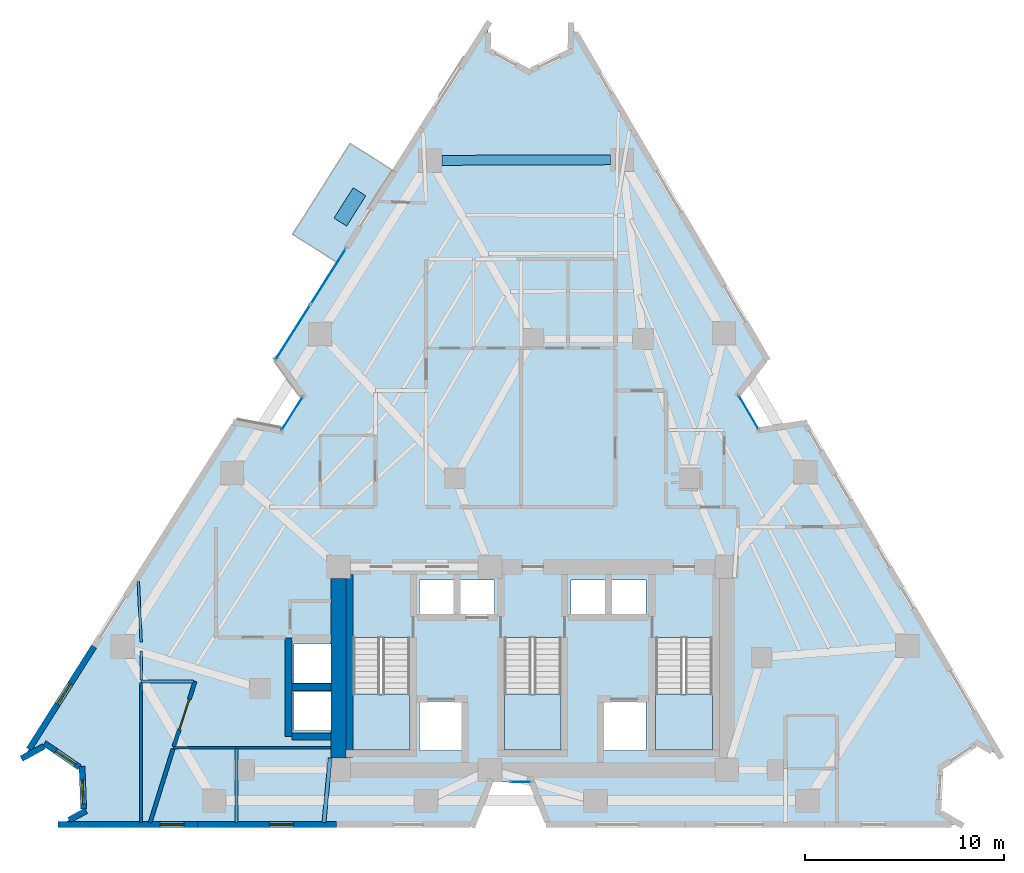
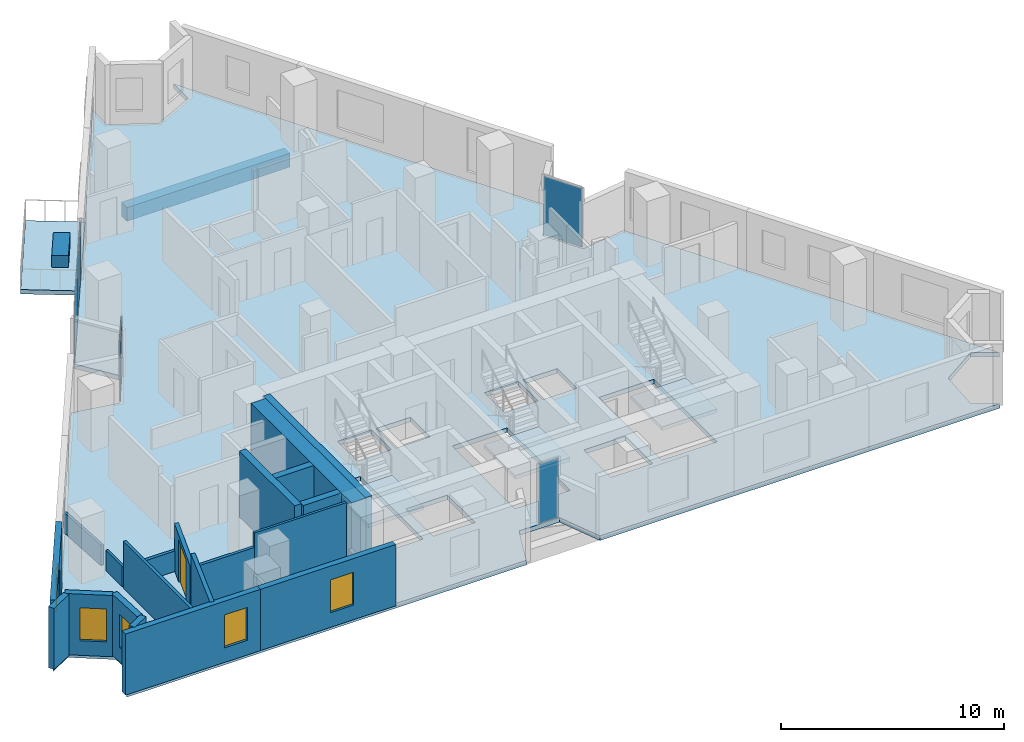
# One storey, part 5 of 11: 22 walls, 6 plates, 5 slabs, 5 windows, 1 beam, 1 door, 6 openings, 7 elements without a shape of their own.
"""IFC4 building model written with IfcOpenShell, lengths in metres."""

from ifc_helpers import new_model, si_unit, direction, frame, frame_2d, origin, origin_2d, place, context, subcontext, project, spatial, polyline, rectangle, outline, extrude, material, layer, layer_set, material_profile, profile_set, type_object, element, fill, aggregate, save


model = new_model("IFC4")

# Units and contexts
model_context = context("Model", 3, precision=1e-05, world=origin(), true_north=direction((0.0, 1.0)))
body_context = subcontext(model_context, "Body", "Model", "MODEL_VIEW")
ifc_project = project(units=[si_unit("LENGTHUNIT", "METRE"), si_unit("AREAUNIT", "SQUARE_METRE"), si_unit("VOLUMEUNIT", "CUBIC_METRE"), si_unit("PLANEANGLEUNIT", "RADIAN"), si_unit("MASSUNIT", "GRAM", prefix="KILO")], contexts=[model_context])

# Site, building, storey
site_placement = place(None, origin())
site = spatial("IfcSite", under=ifc_project, at=site_placement, CompositionType="ELEMENT")
building_placement = place(site_placement, origin())
building = spatial("IfcBuilding", under=site, at=building_placement, Name="Almagre Mirador Tower", CompositionType="ELEMENT")
storey_placement = place(building_placement, frame((0.0, 0.0, 128.39990234375)))
storey = spatial("IfcBuildingStorey", under=building, at=storey_placement, Name="L32", CompositionType="ELEMENT", Elevation=128.39990234375)

# Beam
ifc_material_1 = material(Name="Precast concrete C50/60", Category="concrete")
ifc_material_profile = material_profile(ifc_material_1, rectangle(XDim=0.5, YDim=0.75, at=origin_2d()), Name="RC500X750")
ifc_profile_set = profile_set([ifc_material_profile], Name="Precast concrete C50/60")
beam_type = type_object("IfcBeamType", Name="BM-SPN-RC500X750", PredefinedType="SPANDREL", material=ifc_profile_set)
beam_placement = place(storey_placement, frame((41.197021484375, 35.197998046875, -0.625), z_axis=(-0.999993795162, -0.003522731665, 0.0), x_axis=(0.003522731665, -0.999993795162, 0.0)))
element("IfcBeam", 1, at=beam_placement, inside=storey, type_object=beam_type, Name="L32 perimeter spandrel beam PC08-PC09", PredefinedType="SPANDREL", context=body_context, shape_type="SweptSolid", body=[
    extrude(rectangle(XDim=0.5, YDim=0.75, at=origin_2d()), origin(), (0.0, 0.0, 1.0), 8.455078125),
])

# Curtain wall, plate
ifc_material_2 = material(Name="Black anodized aluminium", Category="aluminium")
ifc_layer_1 = layer(ifc_material_2, 0.169921875)
ifc_layer_set_1 = layer_set([ifc_layer_1], Name="Black anodized aluminium")
curtain_wall_type_1 = type_object("IfcCurtainWallType", Name="CW-CRS-SYS", PredefinedType="NOTDEFINED", material=ifc_layer_set_1)
curtain_wall_1_placement = place(storey_placement, origin())
curtain_wall_1 = element("IfcCurtainWall", 2, at=curtain_wall_1_placement, inside=storey, type_object=curtain_wall_type_1, Name="L32 vertical crease curtain wall 01", PredefinedType="NOTDEFINED")
ifc_material_3 = material(Name="Dark solar-control laminated hurricane glass", Category="glass")
ifc_layer_2 = layer(ifc_material_3, 0.028076171875)
ifc_layer_set_2 = layer_set([ifc_layer_2], Name="Dark solar-control laminated hurricane glass")
plate_type_1 = type_object("IfcPlateType", Name="PLT-GLZ-28", PredefinedType="CURTAIN_PANEL", material=ifc_layer_set_2)
plate_1_placement = place(storey_placement, frame((25.217041015625, 22.449951171875, 0.06005859375), z_axis=(0.0, 0.0, 1.0), x_axis=(0.534892719084, 0.844919983827, 0.0)))
plate_1 = element("IfcPlate", 3, at=plate_1_placement, type_object=plate_type_1, Name="CW-4 panel 1.1", PredefinedType="CURTAIN_PANEL", context=body_context, shape_type="SweptSolid", body=[
    extrude(rectangle(XDim=1.97021484375, YDim=0.028076171875, at=origin_2d()), origin(), (0.0, 0.0, 1.0), 3.22998046875),
])
aggregate(curtain_wall_1, [plate_1])

curtain_wall_2_placement = place(storey_placement, origin())
curtain_wall_2 = element("IfcCurtainWall", 4, at=curtain_wall_2_placement, inside=storey, type_object=curtain_wall_type_1, Name="L32 vertical crease curtain wall 03", PredefinedType="NOTDEFINED")
plate_2_placement = place(storey_placement, frame((48.14599609375, 22.511474609375, 0.06005859375), z_axis=(0.0, 0.0, 1.0), x_axis=(0.506100018207, -0.862474794745, 0.0)))
plate_2 = element("IfcPlate", 5, at=plate_2_placement, type_object=plate_type_1, Name="CW-4 panel 1.1", PredefinedType="CURTAIN_PANEL", context=body_context, shape_type="SweptSolid", body=[
    extrude(rectangle(XDim=1.970458984375, YDim=0.028076171875, at=origin_2d()), origin(), (0.0, 0.0, 1.0), 3.22998046875),
])
aggregate(curtain_wall_2, [plate_2])

curtain_wall_3_placement = place(storey_placement, origin())
curtain_wall_3 = element("IfcCurtainWall", 6, at=curtain_wall_3_placement, inside=storey, type_object=curtain_wall_type_1, Name="L32 vertical crease curtain wall 04", PredefinedType="NOTDEFINED")
plate_3_placement = place(storey_placement, frame((36.677490234375, 3.949951171875, 0.06005859375), z_axis=(0.0, 0.0, 1.0), x_axis=(-1.0, 0.0, 0.0)))
plate_3 = element("IfcPlate", 7, at=plate_3_placement, type_object=plate_type_1, Name="CW-4 panel 1.1", PredefinedType="CURTAIN_PANEL", context=body_context, shape_type="SweptSolid", body=[
    extrude(rectangle(XDim=1.014892578125, YDim=0.028076171875, at=origin_2d()), origin(), (0.0, 0.0, 1.0), 3.22998046875),
])
aggregate(curtain_wall_3, [plate_3])

# Curtain wall, plates
ifc_material_4 = material(Name="Black anodized aluminium", Category="aluminium")
ifc_layer_3 = layer(ifc_material_4, 0.199951171875)
ifc_layer_set_3 = layer_set([ifc_layer_3], Name="Black anodized aluminium")
curtain_wall_type_2 = type_object("IfcCurtainWallType", Name="CW-RES-H-SYS", PredefinedType="NOTDEFINED", material=ifc_layer_set_3)
curtain_wall_4_placement = place(storey_placement, origin())
curtain_wall_4 = element("IfcCurtainWall", 8, at=curtain_wall_4_placement, inside=storey, type_object=curtain_wall_type_2, Name="L32 curtain wall run 02", PredefinedType="NOTDEFINED")
ifc_material_5 = material(Name="Dark solar-control laminated hurricane glass", Category="glass")
ifc_layer_4 = layer(ifc_material_5, 0.035888671875)
ifc_layer_set_4 = layer_set([ifc_layer_4], Name="Dark solar-control laminated hurricane glass")
plate_type_2 = type_object("IfcPlateType", Name="PLT-GLZ-36", PredefinedType="CURTAIN_PANEL", material=ifc_layer_set_4)
plate_4_placement = place(storey_placement, frame((25.249267578125, 26.521484375, 0.06494140625), z_axis=(0.0, 0.0, 1.0), x_axis=(0.534892574877, 0.844920075121, 0.0)))
plate_4 = element("IfcPlate", 9, at=plate_4_placement, type_object=plate_type_2, Name="CW-3 panel 1.1", PredefinedType="CURTAIN_PANEL", context=body_context, shape_type="SweptSolid", body=[
    extrude(rectangle(XDim=3.26611328125, YDim=0.035888671875, at=origin_2d()), origin(), (0.0, 0.0, 1.0), 3.219970703125),
])
plate_5_placement = place(storey_placement, frame((27.03125, 29.3359375, 0.06494140625), z_axis=(0.0, 0.0, 1.0), x_axis=(0.534892574877, 0.844920075121, 0.0)))
plate_5 = element("IfcPlate", 10, at=plate_5_placement, type_object=plate_type_2, Name="CW-3 panel 2.1", PredefinedType="CURTAIN_PANEL", context=body_context, shape_type="SweptSolid", body=[
    extrude(rectangle(XDim=3.26611328125, YDim=0.035888671875, at=origin_2d()), origin(), (0.0, 0.0, 1.0), 3.219970703125),
])
aggregate(curtain_wall_4, [plate_4, plate_5])

# Plate
ifc_material_6 = material(Name="Precast concrete C50/60", Category="concrete")
ifc_layer_5 = layer(ifc_material_6, 0.64990234375)
ifc_layer_set_5 = layer_set([ifc_layer_5], Name="Precast concrete C50/60")
plate_type_3 = type_object("IfcPlateType", Name="PLT-PLANTER-1800", PredefinedType="USERDEFINED", material=ifc_layer_set_5)
plate_6_placement = place(storey_placement, frame((28.116943359375, 32.827880859375, 0.000244140625), z_axis=(0.0, 0.0, 1.0), x_axis=(-0.53486859073, -0.84493525826, 0.0)))
element("IfcPlate", 11, at=plate_6_placement, inside=storey, type_object=plate_type_3, Name="L32 west balcony structural tree planter 2", ObjectType="PLANTER", PredefinedType="USERDEFINED", context=body_context, shape_type="SweptSolid", body=[
    extrude(rectangle(XDim=1.800048828125, YDim=0.75, at=origin_2d()), origin(), (0.0, 0.0, 1.0), 0.64990234375),
])

# Slabs
ifc_material_7 = material(Name="Concrete C45/55", Category="concrete")
ifc_layer_6 = layer(ifc_material_7, 0.239990234375)
ifc_layer_set_6 = layer_set([ifc_layer_6], Name="Concrete C45/55")
slab_type_1 = type_object("IfcSlabType", Name="SLB-BAL-240", PredefinedType="USERDEFINED", material=ifc_layer_set_6)
slab_1_placement = place(storey_placement, frame((0.0, 0.0, -0.239990234375)))
element("IfcSlab", 12, at=slab_1_placement, inside=storey, type_object=slab_type_1, Name="L32 west planted tree balcony 2", ObjectType="BALCONY", PredefinedType="USERDEFINED", context=body_context, shape_type="SweptSolid", body=[
    extrude(outline(polyline([(30.381103515625, 34.590087890625), (27.492919921875, 30.028076171875), (25.237060546875, 31.4560546875), (28.125, 36.01904296875), (30.381103515625, 34.590087890625)])), origin(), (0.0, 0.0, 1.0), 0.239990234375),
])
ifc_material_8 = material(Name="Concrete C45/55", Category="concrete")
ifc_layer_7 = layer(ifc_material_8, 0.25)
ifc_layer_set_7 = layer_set([ifc_layer_7], Name="Concrete C45/55")
slab_type_2 = type_object("IfcSlabType", Name="SLB-FLR-250", PredefinedType="FLOOR", material=ifc_layer_set_7)
slab_2_placement = place(storey_placement, frame((0.0, 0.0, -0.25)))
element("IfcSlab", 13, at=slab_2_placement, inside=storey, type_object=slab_type_2, Name="L32 structural floor slab", PredefinedType="FLOOR", context=body_context, shape_type="SweptSolid", body=[
    extrude(outline(polyline([(11.739013671875, 5.179931640625), (12.883056640625, 5.80908203125), (14.6630859375, 4.5869140625), (14.742919921875, 2.428955078125), (13.60009765625, 1.800048828125), (34.300048828125, 1.800048828125), (35.155029296875, 3.949951171875), (37.2451171875, 3.949951171875), (38.10009765625, 1.800048828125), (58.800048828125, 1.800048828125), (57.6669921875, 2.447998046875), (57.783935546875, 4.672119140625), (59.64208984375, 5.89794921875), (60.77490234375, 5.2490234375), (50.9619140625, 21.9619140625), (48.675048828125, 21.610107421875), (47.616943359375, 23.4130859375), (49.0380859375, 25.238037109375), (39.22509765625, 41.950927734375), (39.2041015625, 40.64599609375), (37.10302734375, 39.62109375), (35.0390625, 40.715087890625), (35.06103515625, 42.02001953125), (24.416015625, 25.205078125), (25.77587890625, 23.3330078125), (24.657958984375, 21.56689453125), (22.384033203125, 21.9951171875), (11.739013671875, 5.179931640625)]), holes=[polyline([(43.47509765625, 5.550048828125), (43.47509765625, 11.196044921875), (46.324951171875, 11.196044921875), (46.324951171875, 5.550048828125), (43.47509765625, 5.550048828125)]), polyline([(40.820068359375, 5.52001953125), (40.820068359375, 7.97998046875), (42.97998046875, 7.97998046875), (42.97998046875, 5.52001953125), (40.820068359375, 5.52001953125)]), polyline([(41.219970703125, 12.320068359375), (41.219970703125, 14.080078125), (42.97998046875, 14.080078125), (42.97998046875, 12.320068359375), (41.219970703125, 12.320068359375)]), polyline([(39.219970703125, 12.320068359375), (39.219970703125, 14.080078125), (40.97998046875, 14.080078125), (40.97998046875, 12.320068359375), (39.219970703125, 12.320068359375)]), polyline([(35.875, 11.196044921875), (38.72509765625, 11.196044921875), (38.72509765625, 5.550048828125), (35.875, 5.550048828125), (35.875, 11.196044921875)]), polyline([(35.3798828125, 12.320068359375), (33.6201171875, 12.320068359375), (33.6201171875, 14.080078125), (35.3798828125, 14.080078125), (35.3798828125, 12.320068359375)]), polyline([(33.780029296875, 5.52001953125), (31.6201171875, 5.52001953125), (31.6201171875, 7.97998046875), (33.780029296875, 7.97998046875), (33.780029296875, 5.52001953125)]), polyline([(31.6201171875, 12.320068359375), (31.6201171875, 14.080078125), (33.3798828125, 14.080078125), (33.3798828125, 12.320068359375), (31.6201171875, 12.320068359375)]), polyline([(28.27490234375, 5.550048828125), (28.27490234375, 11.196044921875), (31.125, 11.196044921875), (31.125, 5.550048828125), (28.27490234375, 5.550048828125)]), polyline([(25.320068359375, 8.919921875), (25.320068359375, 10.8798828125), (27.3798828125, 10.8798828125), (27.3798828125, 8.919921875), (25.320068359375, 8.919921875)]), polyline([(27.3798828125, 6.52001953125), (25.320068359375, 6.52001953125), (25.320068359375, 8.47998046875), (27.3798828125, 8.47998046875), (27.3798828125, 6.52001953125)])]), origin(), (0.0, 0.0, 1.0), 0.25),
])

# Stair, slab
ifc_material_9 = material(Name="Concrete C45/55", Category="concrete")
stair_type = type_object("IfcStairType", Name="STR-DL-3600", PredefinedType="HALF_TURN_STAIR", material=ifc_material_9)
stair_1_placement = place(storey_placement, origin())
stair_1 = element("IfcStair", 14, at=stair_1_placement, inside=storey, type_object=stair_type, Name="L32 Protected exit stair ST-1", PredefinedType="HALF_TURN_STAIR")
ifc_material_10 = material(Name="Concrete C45/55", Category="concrete")
ifc_layer_8 = layer(ifc_material_10, 0.199951171875)
ifc_layer_set_8 = layer_set([ifc_layer_8], Name="Concrete C45/55")
slab_type_3 = type_object("IfcSlabType", Name="SLB-LND-200", PredefinedType="LANDING", material=ifc_layer_set_8)
slab_3_placement = place(storey_placement, frame((0.0, 0.0, 1.60009765625)))
slab_3 = element("IfcSlab", 15, at=slab_3_placement, type_object=slab_type_3, Name="ST-1 landing 1", PredefinedType="LANDING", context=body_context, shape_type="SweptSolid", body=[
    extrude(outline(polyline([(28.27490234375, 8.35009765625), (28.27490234375, 5.550048828125), (31.125, 5.550048828125), (31.125, 8.35009765625), (28.27490234375, 8.35009765625)])), origin(), (0.0, 0.0, 1.0), 0.199951171875),
])
aggregate(stair_1, [slab_3])

stair_2_placement = place(storey_placement, origin())
stair_2 = element("IfcStair", 16, at=stair_2_placement, inside=storey, type_object=stair_type, Name="L32 Protected exit stair ST-2", PredefinedType="HALF_TURN_STAIR")
slab_4_placement = place(storey_placement, frame((0.0, 0.0, 1.60009765625)))
slab_4 = element("IfcSlab", 17, at=slab_4_placement, type_object=slab_type_3, Name="ST-2 landing 1", PredefinedType="LANDING", context=body_context, shape_type="SweptSolid", body=[
    extrude(outline(polyline([(35.875, 8.35009765625), (35.875, 5.550048828125), (38.72509765625, 5.550048828125), (38.72509765625, 8.35009765625), (35.875, 8.35009765625)])), origin(), (0.0, 0.0, 1.0), 0.199951171875),
])
aggregate(stair_2, [slab_4])

stair_3_placement = place(storey_placement, origin())
stair_3 = element("IfcStair", 18, at=stair_3_placement, inside=storey, type_object=stair_type, Name="L32 Protected exit stair ST-3", PredefinedType="HALF_TURN_STAIR")
slab_5_placement = place(storey_placement, frame((0.0, 0.0, 1.60009765625)))
slab_5 = element("IfcSlab", 19, at=slab_5_placement, type_object=slab_type_3, Name="ST-3 landing 1", PredefinedType="LANDING", context=body_context, shape_type="SweptSolid", body=[
    extrude(outline(polyline([(43.47509765625, 8.35009765625), (43.47509765625, 5.550048828125), (46.324951171875, 5.550048828125), (46.324951171875, 8.35009765625), (43.47509765625, 8.35009765625)])), origin(), (0.0, 0.0, 1.0), 0.199951171875),
])
aggregate(stair_3, [slab_5])

# Wall, opening, window
ifc_material_11 = material(Name="Precast concrete C50/60", Category="concrete")
ifc_layer_9 = layer(ifc_material_11, 0.300048828125)
ifc_layer_set_9 = layer_set([ifc_layer_9], Name="Precast concrete C50/60")
wall_type_1 = type_object("IfcWallType", Name="WAL-EXT-300", PredefinedType="SOLIDWALL", material=ifc_layer_set_9)
wall_1_placement = place(storey_placement, frame((27.44677734375, 1.800048828125, 0.0), z_axis=(0.0, 0.0, 1.0), x_axis=(-1.0, 0.0, 0.0)))
wall_1 = element("IfcWall", 20, at=wall_1_placement, inside=storey, type_object=wall_type_1, Name="L32 expressed almagre precast frame wall 27", PredefinedType="SOLIDWALL", context=body_context, shape_type="SweptSolid", body=[
    extrude(rectangle(XDim=6.993408203125, YDim=0.300048828125, at=frame_2d((3.49658203125, 0.0))), origin(), (0.0, 0.0, 1.0), 3.35009765625),
])
opening_1_placement = place(wall_1_placement, frame((2.175048828125, 0.0, 0.800048828125)))
opening_1 = element("IfcOpeningElement", 21, at=opening_1_placement, cuts=wall_1, Name="Opening WN-04", PredefinedType="OPENING", context=body_context, shape_type="SweptSolid", body=[
    extrude(rectangle(XDim=1.199951171875, YDim=1.800048828125, at=frame_2d((0.60009765625, 0.89990234375))), frame((0.0, 0.159902, 0.0), z_axis=(0.0, -1.0, 0.0), x_axis=(1.0, 0.0, 0.0)), (0.0, 0.0, 1.0), 0.320049),
])
ifc_material_12 = material(Name="Dark solar-control laminated hurricane glass", Category="glass")
window_type = type_object("IfcWindowType", Name="WIN-1200X1800", PartitioningType="SINGLE_PANEL", PredefinedType="WINDOW", material=ifc_material_12)
window_1_placement = place(opening_1_placement, origin())
window_1 = element("IfcWindow", 22, at=window_1_placement, inside=storey, type_object=window_type, Name="L32 recessed hurricane window L32-UA-KT", OverallHeight=1.800048828125, OverallWidth=1.199951171875, PartitioningType="SINGLE_PANEL", PredefinedType="WINDOW", context=body_context, shape_type="SweptSolid", body=[
    extrude(rectangle(XDim=1.199951171875, YDim=1.800048828125, at=frame_2d((0.60009765625, 0.89990234375))), frame((0.0, 0.030029296875, 0.0), z_axis=(0.0, -1.0, 0.0), x_axis=(1.0, 0.0, 0.0)), (0.0, 0.0, 1.0), 0.06005859375),
])
fill(opening_1, window_1)

wall_2_placement = place(storey_placement, frame((20.453369140625, 1.800048828125, 0.0), z_axis=(0.0, 0.0, 1.0), x_axis=(-1.0, 0.0, 0.0)))
wall_2 = element("IfcWall", 23, at=wall_2_placement, inside=storey, type_object=wall_type_1, Name="L32 expressed almagre precast frame wall 28", PredefinedType="SOLIDWALL", context=body_context, shape_type="SweptSolid", body=[
    extrude(rectangle(XDim=6.993408203125, YDim=0.300048828125, at=frame_2d((3.49658203125, 0.0))), origin(), (0.0, 0.0, 1.0), 3.35009765625),
])
opening_2_placement = place(wall_2_placement, frame((0.675048828125, 0.0, 0.800048828125)))
opening_2 = element("IfcOpeningElement", 24, at=opening_2_placement, cuts=wall_2, Name="Opening WN-04", PredefinedType="OPENING", context=body_context, shape_type="SweptSolid", body=[
    extrude(rectangle(XDim=1.199951171875, YDim=1.800048828125, at=frame_2d((0.60009765625, 0.89990234375))), frame((0.0, 0.159902, 0.0), z_axis=(0.0, -1.0, 0.0), x_axis=(1.0, 0.0, 0.0)), (0.0, 0.0, 1.0), 0.320049),
])
window_2_placement = place(opening_2_placement, origin())
window_2 = element("IfcWindow", 25, at=window_2_placement, inside=storey, type_object=window_type, Name="L32 recessed hurricane window L32-UA-BT", OverallHeight=1.800048828125, OverallWidth=1.199951171875, PartitioningType="SINGLE_PANEL", PredefinedType="WINDOW", context=body_context, shape_type="SweptSolid", body=[
    extrude(rectangle(XDim=1.199951171875, YDim=1.800048828125, at=frame_2d((0.60009765625, 0.89990234375))), frame((0.0, 0.030029296875, 0.0), z_axis=(0.0, -1.0, 0.0), x_axis=(1.0, 0.0, 0.0)), (0.0, 0.0, 1.0), 0.06005859375),
])
fill(opening_2, window_2)

# Wall
wall_3_placement = place(storey_placement, frame((14.00732421875, 2.024169921875, 0.0), z_axis=(0.0, 0.0, 1.0), x_axis=(0.876089618579, 0.482148296914, 0.0)))
element("IfcWall", 26, at=wall_3_placement, inside=storey, type_object=wall_type_1, Name="L32 expressed almagre precast frame wall 29", PredefinedType="SOLIDWALL", context=body_context, shape_type="SweptSolid", body=[
    extrude(rectangle(XDim=0.979736328125, YDim=0.300048828125, at=frame_2d((0.48974609375, 0.0))), origin(), (0.0, 0.0, 1.0), 3.35009765625),
])

# Wall, opening, window
wall_4_placement = place(storey_placement, frame((14.737548828125, 2.578857421875, 0.0), z_axis=(0.0, 0.0, 1.0), x_axis=(-0.037141892545, 0.99931000186, 0.0)))
wall_4 = element("IfcWall", 27, at=wall_4_placement, inside=storey, type_object=wall_type_1, Name="L32 expressed almagre precast frame wall 30", PredefinedType="SOLIDWALL", context=body_context, shape_type="SweptSolid", body=[
    extrude(rectangle(XDim=2.1494140625, YDim=0.300048828125, at=frame_2d((1.07470703125, 0.0))), origin(), (0.0, 0.0, 1.0), 3.35009765625),
])
opening_3_placement = place(wall_4_placement, frame((0.260009765625, 0.0, 0.800048828125)))
opening_3 = element("IfcOpeningElement", 28, at=opening_3_placement, cuts=wall_4, Name="Opening WN-04", PredefinedType="OPENING", context=body_context, shape_type="SweptSolid", body=[
    extrude(rectangle(XDim=1.199951171875, YDim=1.800048828125, at=frame_2d((0.60009765625, 0.89990234375))), frame((0.0, 0.159902, 0.0), z_axis=(0.0, -1.0, 0.0), x_axis=(1.0, 0.0, 0.0)), (0.0, 0.0, 1.0), 0.320049),
])
window_3_placement = place(opening_3_placement, origin())
window_3 = element("IfcWindow", 29, at=window_3_placement, inside=storey, type_object=window_type, Name="L32 recessed hurricane window L32-UD-KT", OverallHeight=1.800048828125, OverallWidth=1.199951171875, PartitioningType="SINGLE_PANEL", PredefinedType="WINDOW", context=body_context, shape_type="SweptSolid", body=[
    extrude(rectangle(XDim=1.199951171875, YDim=1.800048828125, at=frame_2d((0.60009765625, 0.89990234375))), frame((0.0, 0.030029296875, 0.0), z_axis=(0.0, -1.0, 0.0), x_axis=(1.0, 0.0, 0.0)), (0.0, 0.0, 1.0), 0.06005859375),
])
fill(opening_3, window_3)

wall_5_placement = place(storey_placement, frame((14.539306640625, 4.671875, 0.0), z_axis=(0.0, 0.0, 1.0), x_axis=(-0.824422928204, 0.565974235678, 0.0)))
wall_5 = element("IfcWall", 30, at=wall_5_placement, inside=storey, type_object=wall_type_1, Name="L32 expressed almagre precast frame wall 31", PredefinedType="SOLIDWALL", context=body_context, shape_type="SweptSolid", body=[
    extrude(rectangle(XDim=2.149169921875, YDim=0.300048828125, at=frame_2d((1.07470703125, 0.0))), origin(), (0.0, 0.0, 1.0), 3.35009765625),
])
opening_4_placement = place(wall_5_placement, frame((0.260009765625, 0.0, 0.800048828125)))
opening_4 = element("IfcOpeningElement", 31, at=opening_4_placement, cuts=wall_5, Name="Opening WN-04", PredefinedType="OPENING", context=body_context, shape_type="SweptSolid", body=[
    extrude(rectangle(XDim=1.199951171875, YDim=1.800048828125, at=frame_2d((0.60009765625, 0.89990234375))), frame((0.0, 0.159902, 0.0), z_axis=(0.0, -1.0, 0.0), x_axis=(1.0, 0.0, 0.0)), (0.0, 0.0, 1.0), 0.320049),
])
window_4_placement = place(opening_4_placement, origin())
window_4 = element("IfcWindow", 32, at=window_4_placement, inside=storey, type_object=window_type, Name="L32 recessed hurricane window L32-UD-KT", OverallHeight=1.800048828125, OverallWidth=1.199951171875, PartitioningType="SINGLE_PANEL", PredefinedType="WINDOW", context=body_context, shape_type="SweptSolid", body=[
    extrude(rectangle(XDim=1.199951171875, YDim=1.800048828125, at=frame_2d((0.60009765625, 0.89990234375))), frame((0.0, 0.030029296875, 0.0), z_axis=(0.0, -1.0, 0.0), x_axis=(1.0, 0.0, 0.0)), (0.0, 0.0, 1.0), 0.06005859375),
])
fill(opening_4, window_4)

# Wall
wall_6_placement = place(storey_placement, frame((12.751708984375, 5.73681640625, 0.0), z_axis=(0.0, 0.0, 1.0), x_axis=(-0.876299432815, -0.481766856527, 0.0)))
element("IfcWall", 33, at=wall_6_placement, inside=storey, type_object=wall_type_1, Name="L32 expressed almagre precast frame wall 32", PredefinedType="SOLIDWALL", context=body_context, shape_type="SweptSolid", body=[
    extrude(rectangle(XDim=1.2958984375, YDim=0.300048828125, at=frame_2d((0.64794921875, 0.0))), origin(), (0.0, 0.0, 1.0), 3.35009765625),
])

# Wall, opening, window
wall_7_placement = place(storey_placement, frame((11.9931640625, 5.581298828125, 0.0), z_axis=(0.0, 0.0, 1.0), x_axis=(0.534883870605, 0.844925585461, 0.0)))
wall_7 = element("IfcWall", 34, at=wall_7_placement, inside=storey, type_object=wall_type_1, Name="L32 expressed almagre precast frame wall 33", PredefinedType="SOLIDWALL", context=body_context, shape_type="SweptSolid", body=[
    extrude(rectangle(XDim=6.112060546875, YDim=0.300048828125, at=frame_2d((3.05615234375, 0.0))), origin(), (0.0, 0.0, 1.0), 3.35009765625),
])
opening_5_placement = place(wall_7_placement, frame((2.68505859375, 0.0, 0.800048828125)))
opening_5 = element("IfcOpeningElement", 35, at=opening_5_placement, cuts=wall_7, Name="Opening WN-04", PredefinedType="OPENING", context=body_context, shape_type="SweptSolid", body=[
    extrude(rectangle(XDim=1.199951171875, YDim=1.800048828125, at=frame_2d((0.60009765625, 0.89990234375))), frame((0.0, 0.159902, 0.0), z_axis=(0.0, -1.0, 0.0), x_axis=(1.0, 0.0, 0.0)), (0.0, 0.0, 1.0), 0.320049),
])
window_5_placement = place(opening_5_placement, origin())
window_5 = element("IfcWindow", 36, at=window_5_placement, inside=storey, type_object=window_type, Name="L32 recessed hurricane window L32-UD-KT", OverallHeight=1.800048828125, OverallWidth=1.199951171875, PartitioningType="SINGLE_PANEL", PredefinedType="WINDOW", context=body_context, shape_type="SweptSolid", body=[
    extrude(rectangle(XDim=1.199951171875, YDim=1.800048828125, at=frame_2d((0.60009765625, 0.89990234375))), frame((0.0, 0.030029296875, 0.0), z_axis=(0.0, -1.0, 0.0), x_axis=(1.0, 0.0, 0.0)), (0.0, 0.0, 1.0), 0.06005859375),
])
fill(opening_5, window_5)

# Walls
ifc_material_13 = material(Name="Gypsum acoustic stud partition", Category="other")
ifc_layer_10 = layer(ifc_material_13, 0.125)
ifc_layer_set_10 = layer_set([ifc_layer_10], Name="Gypsum acoustic stud partition")
wall_type_2 = type_object("IfcWallType", Name="WAL-PRT-125-UTL", PredefinedType="PARTITIONING", material=ifc_layer_set_10)
wall_8_placement = place(storey_placement, frame((22.419921875, 5.659912109375, 0.0), z_axis=(0.0, 0.0, 1.0), x_axis=(1.0, 0.0, 0.0)))
element("IfcWall", 37, at=wall_8_placement, inside=storey, type_object=wall_type_2, Name="L32 interior partition 022", PredefinedType="PARTITIONING", context=body_context, shape_type="SweptSolid", body=[
    extrude(rectangle(XDim=4.755126953125, YDim=0.125, at=frame_2d((2.37744140625, 0.0))), origin(), (0.0, 0.0, 1.0), 3.35009765625),
])
wall_9_placement = place(storey_placement, frame((17.6298828125, 10.530029296875, 0.0), z_axis=(0.0, 0.0, 1.0), x_axis=(0.0, -1.0, 0.0)))
element("IfcWall", 38, at=wall_9_placement, inside=storey, type_object=wall_type_2, Name="L32 interior partition 044", PredefinedType="PARTITIONING", context=body_context, shape_type="SweptSolid", body=[
    extrude(rectangle(XDim=1.469970703125, YDim=0.125, at=frame_2d((0.73486328125, 0.0))), origin(), (0.0, 0.0, 1.0), 1.1201171875),
])
wall_10_placement = place(storey_placement, frame((17.487060546875, 14.012939453125, 0.0), z_axis=(0.0, 0.0, 1.0), x_axis=(0.046883561563, -0.998900361225, 0.0)))
element("IfcWall", 39, at=wall_10_placement, inside=storey, type_object=wall_type_2, Name="L32 interior partition 045", PredefinedType="PARTITIONING", context=body_context, shape_type="SweptSolid", body=[
    extrude(rectangle(XDim=3.04638671875, YDim=0.125, at=frame_2d((1.523193359375, 0.0))), origin(), (0.0, 0.0, 1.0), 1.1201171875),
])
ifc_material_14 = material(Name="Gypsum acoustic stud partition", Category="other")
ifc_layer_11 = layer(ifc_material_14, 0.14990234375)
ifc_layer_set_11 = layer_set([ifc_layer_11], Name="Gypsum acoustic stud partition")
wall_type_3 = type_object("IfcWallType", Name="WAL-PRT-150-STD", PredefinedType="PARTITIONING", material=ifc_layer_set_11)
wall_11_placement = place(storey_placement, frame((19.25, 5.659912109375, 0.0), z_axis=(0.0, 0.0, 1.0), x_axis=(1.0, 0.0, 0.0)))
element("IfcWall", 40, at=wall_11_placement, inside=storey, type_object=wall_type_3, Name="L32 interior partition 023", PredefinedType="PARTITIONING", context=body_context, shape_type="SweptSolid", body=[
    extrude(rectangle(XDim=3.169921875, YDim=0.14990234375, at=frame_2d((1.5849609375, 0.0))), origin(), (0.0, 0.0, 1.0), 2.570068359375),
])
wall_12_placement = place(storey_placement, frame((22.419921875, 5.612548828125, 0.0), z_axis=(0.0, 0.0, 1.0), x_axis=(0.0, -1.0, 0.0)))
element("IfcWall", 41, at=wall_12_placement, inside=storey, type_object=wall_type_3, Name="L32 interior partition 026", PredefinedType="PARTITIONING", context=body_context, shape_type="SweptSolid", body=[
    extrude(rectangle(XDim=3.712646484375, YDim=0.14990234375, at=frame_2d((1.8564453125, 0.0))), origin(), (0.0, 0.0, 1.0), 1.1201171875),
])
wall_13_placement = place(storey_placement, frame((17.6298828125, 9.0, 0.0), z_axis=(0.0, 0.0, 1.0), x_axis=(1.0, 0.0, 0.0)))
element("IfcWall", 42, at=wall_13_placement, inside=storey, type_object=wall_type_3, Name="L32 interior partition 043", PredefinedType="PARTITIONING", context=body_context, shape_type="SweptSolid", body=[
    extrude(rectangle(XDim=2.625, YDim=0.14990234375, at=frame_2d((1.3125, 0.0))), origin(), (0.0, 0.0, 1.0), 1.1201171875),
])
wall_14_placement = place(storey_placement, frame((17.6298828125, 8.93994140625, 0.0), z_axis=(0.0, 0.0, 1.0), x_axis=(0.0, -1.0, 0.0)))
element("IfcWall", 43, at=wall_14_placement, inside=storey, type_object=wall_type_3, Name="L32 interior partition 046", PredefinedType="PARTITIONING", context=body_context, shape_type="SweptSolid", body=[
    extrude(rectangle(XDim=7.0400390625, YDim=0.14990234375, at=frame_2d((3.52001953125, 0.0))), origin(), (0.0, 0.0, 1.0), 2.570068359375),
])

# Wall, opening, door
ifc_material_15 = material(Name="Gypsum acoustic stud partition", Category="other")
ifc_layer_12 = layer(ifc_material_15, 0.199951171875)
ifc_layer_set_12 = layer_set([ifc_layer_12], Name="Gypsum acoustic stud partition")
wall_type_4 = type_object("IfcWallType", Name="WAL-PRT-200-EI60", PredefinedType="PARTITIONING", material=ifc_layer_set_12)
wall_15_placement = place(storey_placement, frame((20.340087890625, 9.0, 0.0), z_axis=(0.0, 0.0, 1.0), x_axis=(-0.31028313728, -0.950644189337, 0.0)))
wall_15 = element("IfcWall", 44, at=wall_15_placement, inside=storey, type_object=wall_type_4, Name="L32 interior partition 025", PredefinedType="PARTITIONING", context=body_context, shape_type="SweptSolid", body=[
    extrude(rectangle(XDim=3.453369140625, YDim=0.199951171875, at=frame_2d((1.7265625, 0.0))), origin(), (0.0, 0.0, 1.0), 2.570068359375),
])
opening_6_placement = place(wall_15_placement, frame((0.956787109375, 0.0, 0.0)))
opening_6 = element("IfcOpeningElement", 45, at=opening_6_placement, cuts=wall_15, Name="Opening ID-05", PredefinedType="OPENING", context=body_context, shape_type="SweptSolid", body=[
    extrude(rectangle(XDim=1.60009765625, YDim=2.300048828125, at=frame_2d((0.800048828125, 1.14990234375))), frame((0.0, 0.110098, 0.0), z_axis=(0.0, -1.0, 0.0), x_axis=(1.0, 0.0, 0.0)), (0.0, 0.0, 1.0), 0.219951),
])
ifc_material_16 = material(Name="Fire-rated acoustic timber", Category="wood")
door_type = type_object("IfcDoorType", Name="DOR-FD60-1600X2300", OperationType="DOUBLE_DOOR_SINGLE_SWING", PredefinedType="DOOR", material=ifc_material_16)
door_placement = place(opening_6_placement, origin())
door = element("IfcDoor", 46, at=door_placement, inside=storey, type_object=door_type, Name="DR-1056 L32 interior door L32-UA-ST to L32-UD-BT", OperationType="DOUBLE_DOOR_SINGLE_SWING", OverallHeight=2.300048828125, OverallWidth=1.60009765625, PredefinedType="DOOR", context=body_context, shape_type="SweptSolid", body=[
    extrude(rectangle(XDim=1.60009765625, YDim=2.300048828125, at=frame_2d((0.800048828125, 1.14990234375))), frame((0.0, 0.02490234375, 0.0), z_axis=(0.0, -1.0, 0.0), x_axis=(1.0, 0.0, 0.0)), (0.0, 0.0, 1.0), 0.050048828125),
])
fill(opening_6, door)

# Walls
wall_16_placement = place(storey_placement, frame((26.81298828125, 1.89892578125, 0.0), z_axis=(0.0, 0.0, 1.0), x_axis=(0.095535778303, 0.995425996779, 0.0)))
element("IfcWall", 47, at=wall_16_placement, inside=storey, type_object=wall_type_4, Name="L32 interior partition 027", PredefinedType="PARTITIONING", context=body_context, shape_type="SweptSolid", body=[
    extrude(rectangle(XDim=3.265869140625, YDim=0.199951171875, at=frame_2d((1.6328125, 0.0))), origin(), (0.0, 0.0, 1.0), 1.1201171875),
])
wall_17_placement = place(storey_placement, frame((19.232177734375, 5.602783203125, 0.0), z_axis=(0.0, 0.0, 1.0), x_axis=(-0.296660209707, -0.954983099315, 0.0)))
element("IfcWall", 48, at=wall_17_placement, inside=storey, type_object=wall_type_4, Name="L32 interior partition 028", PredefinedType="PARTITIONING", context=body_context, shape_type="SweptSolid", body=[
    extrude(rectangle(XDim=3.883544921875, YDim=0.199951171875, at=frame_2d((1.94189453125, 0.0))), origin(), (0.0, 0.0, 1.0), 3.35009765625),
])
ifc_material_17 = material(Name="Concrete C60/75", Category="concrete")
ifc_layer_13 = layer(ifc_material_17, 0.35009765625)
ifc_layer_set_13 = layer_set([ifc_layer_13], Name="Concrete C60/75")
wall_type_5 = type_object("IfcWallType", Name="WAL-SHF-350", PredefinedType="SOLIDWALL", material=ifc_layer_set_13)
wall_18_placement = place(storey_placement, frame((28.10009765625, 5.199951171875, 0.0), z_axis=(0.0, 0.0, 1.0), x_axis=(0.0, 1.0, 0.0)))
element("IfcWall", 49, at=wall_18_placement, inside=storey, type_object=wall_type_5, Name="L32 shaft wall ST1-W", PredefinedType="SOLIDWALL", context=body_context, shape_type="SweptSolid", body=[
    extrude(rectangle(XDim=9.175048828125, YDim=0.35009765625, at=frame_2d((4.58740234375, 0.0))), origin(), (0.0, 0.0, 1.0), 3.60009765625),
])
wall_19_placement = place(storey_placement, frame((25.02490234375, 6.22509765625, 0.0), z_axis=(0.0, 0.0, 1.0), x_axis=(0.0, 1.0, 0.0)))
element("IfcWall", 50, at=wall_19_placement, inside=storey, type_object=wall_type_5, Name="L32 shaft wall OL-W", PredefinedType="SOLIDWALL", context=body_context, shape_type="SweptSolid", body=[
    extrude(rectangle(XDim=4.949951171875, YDim=0.35009765625, at=frame_2d((2.47509765625, 0.0))), origin(), (0.0, 0.0, 1.0), 3.60009765625),
])
for number, where, z_axis, x_axis, name in (
    (51, (25.199951171875, 6.22509765625, 0.0), (0.0, 0.0, 1.0), (1.0, 0.0, 0.0), "L32 shaft wall OL-S"),
    (52, (25.199951171875, 8.699951171875, 0.0), (0.0, 0.0, 1.0), (1.0, 0.0, 0.0), "L32 shaft wall OL-M"),
):
    element("IfcWall", number, at=place(storey_placement, frame(where, z_axis=z_axis, x_axis=x_axis)), inside=storey, type_object=wall_type_5, Name=name, PredefinedType="SOLIDWALL", context=body_context, shape_type="SweptSolid", body=[
        extrude(rectangle(XDim=1.97509765625, YDim=0.35009765625, at=frame_2d((0.987548828125, 0.0))), origin(), (0.0, 0.0, 1.0), 3.60009765625),
    ])
ifc_material_18 = material(Name="Concrete C60/75", Category="concrete")
ifc_layer_14 = layer(ifc_material_18, 0.75)
ifc_layer_set_14 = layer_set([ifc_layer_14], Name="Concrete C60/75")
wall_type_6 = type_object("IfcWallType", Name="WAL-SHR-750", PredefinedType="SHEAR", material=ifc_layer_set_14)
wall_20_placement = place(storey_placement, frame((27.550048828125, 5.14990234375, 0.0), z_axis=(0.0, 0.0, 1.0), x_axis=(0.0, 1.0, 0.0)))
element("IfcWall", 53, at=wall_20_placement, inside=storey, type_object=wall_type_6, Name="L32 core shear wall W1", PredefinedType="SHEAR", context=body_context, shape_type="SweptSolid", body=[
    extrude(rectangle(XDim=9.0, YDim=0.75, at=frame_2d((4.5, 0.0))), origin(), (0.0, 0.0, 1.0), 3.60009765625),
])

save(model, "model.ifc")
